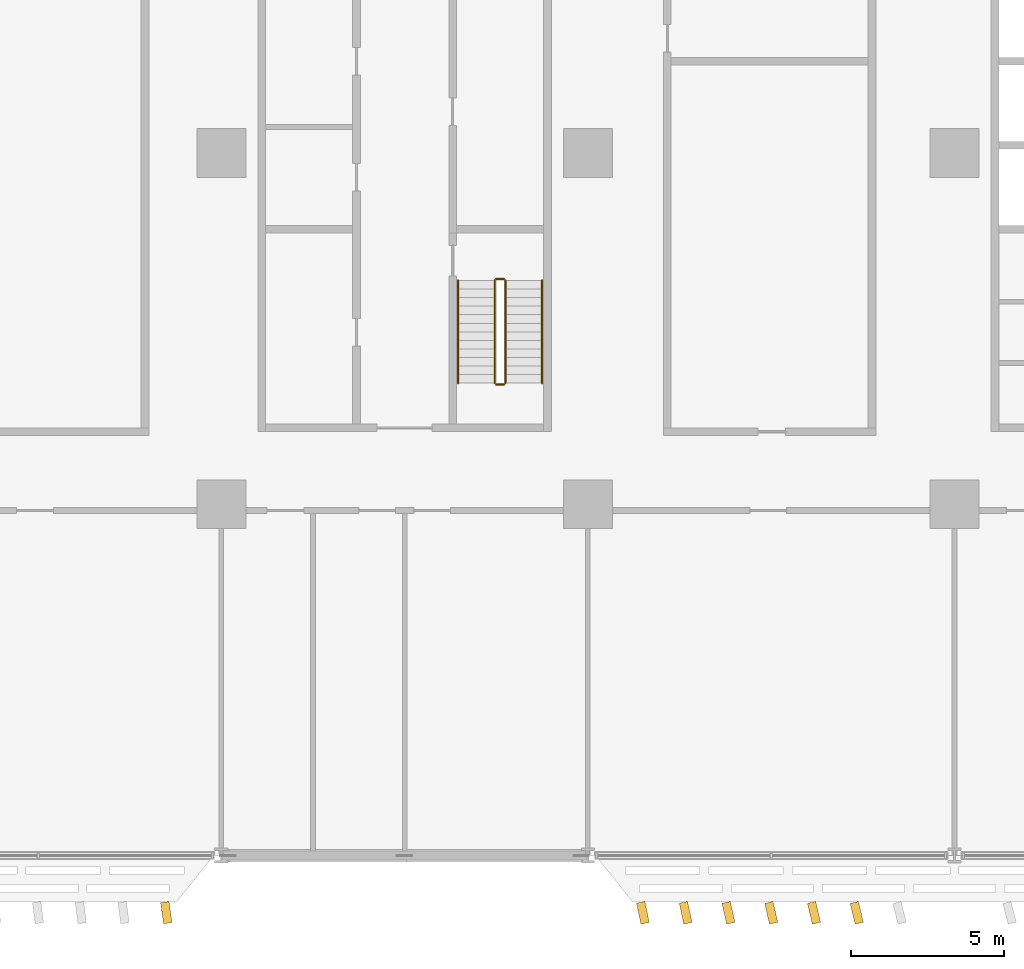
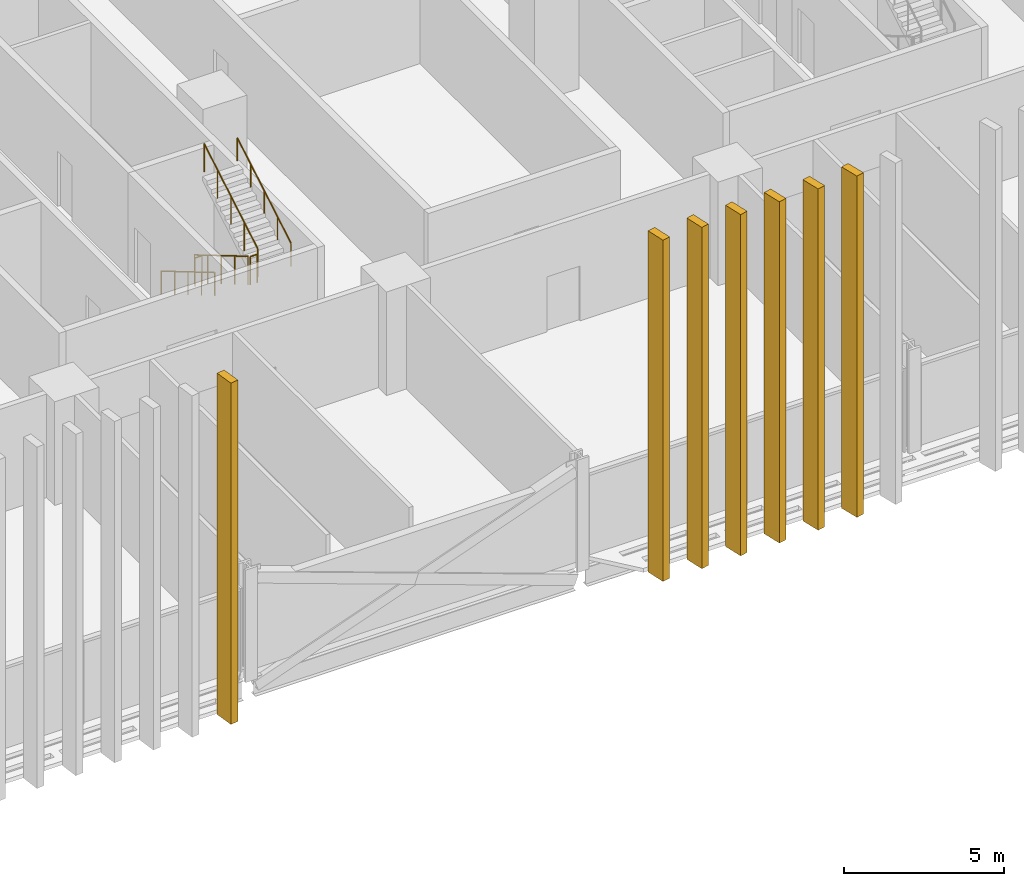
# One storey, part 24 of 29: 7 coverings, 6 railings.
"""IFC4 building model written with IfcOpenShell, lengths in metres."""

from ifc_helpers import new_model, si_unit, direction, frame, origin, origin_2d, place, context, subcontext, project, spatial, rectangle, circle, extrude, material, layer, layer_set, type_object, element, save


model = new_model("IFC4")

# Units and contexts
model_context = context("Model", 3, precision=1e-05, world=origin(), true_north=direction((0.0, 1.0)))
body_context = subcontext(model_context, "Body", "Model", "MODEL_VIEW")
ifc_project = project(units=[si_unit("LENGTHUNIT", "METRE"), si_unit("AREAUNIT", "SQUARE_METRE"), si_unit("VOLUMEUNIT", "CUBIC_METRE"), si_unit("PLANEANGLEUNIT", "RADIAN"), si_unit("MASSUNIT", "GRAM", prefix="KILO")], contexts=[model_context])

# Site, building, storey
site_placement = place(None, origin())
site = spatial("IfcSite", under=ifc_project, at=site_placement, CompositionType="ELEMENT")
building_placement = place(site_placement, origin())
building = spatial("IfcBuilding", under=site, at=building_placement, Name="Mahtab Terrace Research Tower", CompositionType="ELEMENT")
storey_placement = place(building_placement, frame((0.0, 0.0, 24.39990234375)))
storey = spatial("IfcBuildingStorey", under=building, at=storey_placement, Name="L05", CompositionType="ELEMENT", Elevation=24.39990234375)

# Railings
ifc_material_1 = material(Name="Stainless steel AISI 304", Category="steel")
railing_type_1 = type_object("IfcRailingType", Name="Stair guard 1100", PredefinedType="GUARDRAIL", material=ifc_material_1)
railing_1_placement = place(storey_placement, frame((2.949951171875, -4.175048828125, 0.16552734375)))
element("IfcRailing", 1, at=railing_1_placement, inside=storey, type_object=railing_type_1, Name="L05 ST2 stair guard 1", PredefinedType="GUARDRAIL", context=body_context, shape_type="SweptSolid", body=[
    extrude(circle(Radius=0.02392578125, at=origin_2d()), frame((0.0, 0.0, 1.076171875), z_axis=(0.0, -0.861011212953, 0.508585972249), x_axis=(1.0, 0.0, 0.0)), (0.0, 0.0, 1.0), 3.90234375),
    extrude(circle(Radius=0.02099609375, at=origin_2d()), origin(), (0.0, 0.0, 1.0), 1.052001953125),
    extrude(circle(Radius=0.02099609375, at=origin_2d()), frame((0.0, -0.83984375, 0.49609375)), (0.0, 0.0, 1.0), 1.052001953125),
    extrude(circle(Radius=0.02099609375, at=origin_2d()), frame((0.0, -1.679931640625, 0.9921875)), (0.0, 0.0, 1.0), 1.052001953125),
    extrude(circle(Radius=0.02099609375, at=origin_2d()), frame((0.0, -2.52001953125, 1.488525390625)), (0.0, 0.0, 1.0), 1.052001953125),
    extrude(circle(Radius=0.02099609375, at=origin_2d()), frame((0.0, -3.35986328125, 1.984619140625)), (0.0, 0.0, 1.0), 1.052001953125),
])
railing_2_placement = place(storey_placement, frame((3.0, -7.5849609375, 2.150146484375)))
element("IfcRailing", 2, at=railing_2_placement, inside=storey, type_object=railing_type_1, Name="L05 ST2 stair guard 2", PredefinedType="GUARDRAIL", context=body_context, shape_type="SweptSolid", body=[
    extrude(circle(Radius=0.02392578125, at=origin_2d()), frame((0.0, 0.0, 1.076171875), z_axis=(1.0, 0.0, 0.0), x_axis=(0.0, 1.0, 0.0)), (0.0, 0.0, 1.0), 0.25),
    extrude(circle(Radius=0.02099609375, at=origin_2d()), origin(), (0.0, 0.0, 1.0), 1.052001953125),
    extrude(circle(Radius=0.02099609375, at=origin_2d()), frame((0.25, 0.0, 0.0)), (0.0, 0.0, 1.0), 1.052001953125),
])
railing_3_placement = place(storey_placement, frame((3.300048828125, -7.534912109375, 2.3154296875)))
element("IfcRailing", 3, at=railing_3_placement, inside=storey, type_object=railing_type_1, Name="L05 ST2 stair guard 3", PredefinedType="GUARDRAIL", context=body_context, shape_type="SweptSolid", body=[
    extrude(circle(Radius=0.02392578125, at=origin_2d()), frame((0.0, 0.0, 1.076171875), z_axis=(0.0, 0.861011212953, 0.508585972249), x_axis=(-1.0, 0.0, 0.0)), (0.0, 0.0, 1.0), 3.90234375),
    extrude(circle(Radius=0.02099609375, at=origin_2d()), origin(), (0.0, 0.0, 1.0), 1.052001953125),
    extrude(circle(Radius=0.02099609375, at=origin_2d()), frame((0.0, 0.83984375, 0.49609375)), (0.0, 0.0, 1.0), 1.052001953125),
    extrude(circle(Radius=0.02099609375, at=origin_2d()), frame((0.0, 1.679931640625, 0.9921875)), (0.0, 0.0, 1.0), 1.052001953125),
    extrude(circle(Radius=0.02099609375, at=origin_2d()), frame((0.0, 2.52001953125, 1.488525390625)), (0.0, 0.0, 1.0), 1.052001953125),
    extrude(circle(Radius=0.02099609375, at=origin_2d()), frame((0.0, 3.35986328125, 1.984619140625)), (0.0, 0.0, 1.0), 1.052001953125),
])
railing_4_placement = place(storey_placement, frame((3.0, -4.125, 0.0)))
element("IfcRailing", 4, at=railing_4_placement, inside=storey, type_object=railing_type_1, Name="L05 ST2 stair guard 4", PredefinedType="GUARDRAIL", context=body_context, shape_type="SweptSolid", body=[
    extrude(circle(Radius=0.02392578125, at=origin_2d()), frame((0.0, 0.0, 1.076171875), z_axis=(1.0, 0.0, 0.0), x_axis=(0.0, 1.0, 0.0)), (0.0, 0.0, 1.0), 0.25),
    extrude(circle(Radius=0.02099609375, at=origin_2d()), origin(), (0.0, 0.0, 1.0), 1.052001953125),
    extrude(circle(Radius=0.02099609375, at=origin_2d()), frame((0.25, 0.0, 0.0)), (0.0, 0.0, 1.0), 1.052001953125),
])
railing_type_2 = type_object("IfcRailingType", Name="Stair handrail 900", PredefinedType="HANDRAIL", material=ifc_material_1)
railing_5_placement = place(storey_placement, frame((1.75, -4.175048828125, 0.16552734375)))
element("IfcRailing", 5, at=railing_5_placement, inside=storey, type_object=railing_type_2, Name="L05 ST2 stair handrail 1", PredefinedType="HANDRAIL", context=body_context, shape_type="SweptSolid", body=[
    extrude(circle(Radius=0.02392578125, at=origin_2d()), frame((0.0, 0.0, 0.8759765625), z_axis=(0.0, -0.861011212953, 0.508585972249), x_axis=(1.0, 0.0, 0.0)), (0.0, 0.0, 1.0), 3.90234375),
    extrude(circle(Radius=0.02099609375, at=origin_2d()), origin(), (0.0, 0.0, 1.0), 0.851806640625),
    extrude(circle(Radius=0.02099609375, at=origin_2d()), frame((0.0, -0.83984375, 0.49609375)), (0.0, 0.0, 1.0), 0.851806640625),
    extrude(circle(Radius=0.02099609375, at=origin_2d()), frame((0.0, -1.679931640625, 0.9921875)), (0.0, 0.0, 1.0), 0.851806640625),
    extrude(circle(Radius=0.02099609375, at=origin_2d()), frame((0.0, -2.52001953125, 1.488525390625)), (0.0, 0.0, 1.0), 0.851806640625),
    extrude(circle(Radius=0.02099609375, at=origin_2d()), frame((0.0, -3.35986328125, 1.984619140625)), (0.0, 0.0, 1.0), 0.851806640625),
])
railing_6_placement = place(storey_placement, frame((4.5, -7.534912109375, 2.3154296875)))
element("IfcRailing", 6, at=railing_6_placement, inside=storey, type_object=railing_type_2, Name="L05 ST2 stair handrail 2", PredefinedType="HANDRAIL", context=body_context, shape_type="SweptSolid", body=[
    extrude(circle(Radius=0.02392578125, at=origin_2d()), frame((0.0, 0.0, 0.8759765625), z_axis=(0.0, 0.861011212953, 0.508585972249), x_axis=(-1.0, 0.0, 0.0)), (0.0, 0.0, 1.0), 3.90234375),
    extrude(circle(Radius=0.02099609375, at=origin_2d()), origin(), (0.0, 0.0, 1.0), 0.851806640625),
    extrude(circle(Radius=0.02099609375, at=origin_2d()), frame((0.0, 0.83984375, 0.49609375)), (0.0, 0.0, 1.0), 0.851806640625),
    extrude(circle(Radius=0.02099609375, at=origin_2d()), frame((0.0, 1.679931640625, 0.9921875)), (0.0, 0.0, 1.0), 0.851806640625),
    extrude(circle(Radius=0.02099609375, at=origin_2d()), frame((0.0, 2.52001953125, 1.488525390625)), (0.0, 0.0, 1.0), 0.851806640625),
    extrude(circle(Radius=0.02099609375, at=origin_2d()), frame((0.0, 3.35986328125, 1.984619140625)), (0.0, 0.0, 1.0), 0.851806640625),
])

# Coverings
ifc_material_2 = material(Name="Bronze anodised aluminium", Category="aluminium")
ifc_layer = layer(ifc_material_2, 0.1201171875)
ifc_layer_set = layer_set([ifc_layer], Name="Vertical fin 700")
covering_type = type_object("IfcCoveringType", Name="Vertical fin 700", PredefinedType="CLADDING", material=ifc_layer_set)
for number, where, z_axis, x_axis, name in (
    (7, (-7.800048828125, -24.8662109375, -0.14990234375), (0.0, 0.0, 1.0), (0.989917986891, 0.141641728418, 0.0), "Fin L05 S7"),
    (8, (7.800048828125, -24.871337890625, -0.14990234375), (0.0, 0.0, 1.0), (0.978662951719, 0.205472204767, 0.0), "Fin L05 S1"),
    (9, (9.199951171875, -24.87158203125, -0.14990234375), (0.0, 0.0, 1.0), (0.97745100758, 0.211162325667, 0.0), "Fin L05 S2"),
    (10, (10.60009765625, -24.8720703125, -0.14990234375), (0.0, 0.0, 1.0), (0.976205980352, 0.216845299523, 0.0), "Fin L05 S3"),
    (11, (12.0, -24.872314453125, -0.14990234375), (0.0, 0.0, 1.0), (0.974927912182, 0.222520933954, 0.0), "Fin L05 S4"),
    (12, (13.39990234375, -24.872802734375, -0.14990234375), (0.0, 0.0, 1.0), (0.973616846325, 0.228189036878, 0.0), "Fin L05 S5"),
    (13, (14.800048828125, -24.873046875, -0.14990234375), (0.0, 0.0, 1.0), (0.972272827152, 0.233849416469, 0.0), "Fin L05 S6"),
):
    element("IfcCovering", number, at=place(storey_placement, frame(where, z_axis=z_axis, x_axis=x_axis)), inside=storey, type_object=covering_type, Name=name, PredefinedType="CLADDING", context=body_context, shape_type="SweptSolid", body=[
        extrude(rectangle(XDim=0.280029296875, YDim=0.699951171875, at=origin_2d()), origin(), (0.0, 0.0, 1.0), 13.050048828125),
    ])

save(model, "model.ifc")
